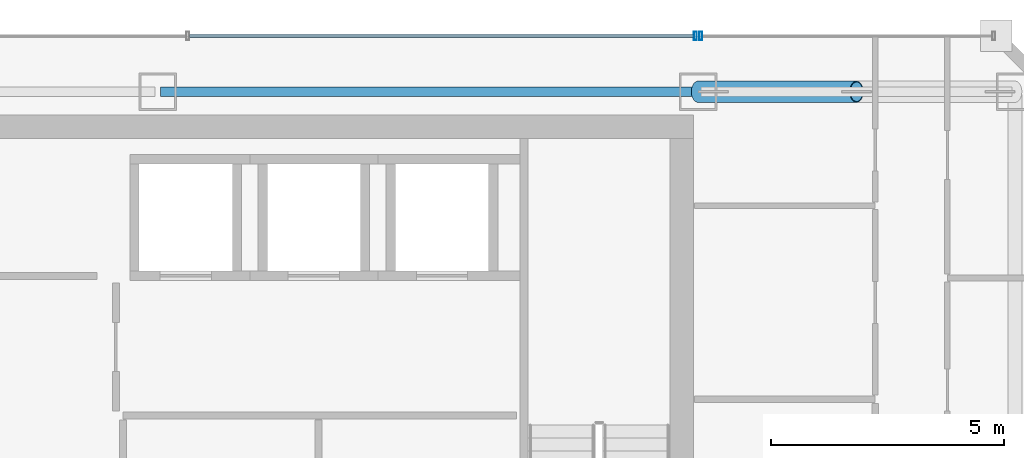
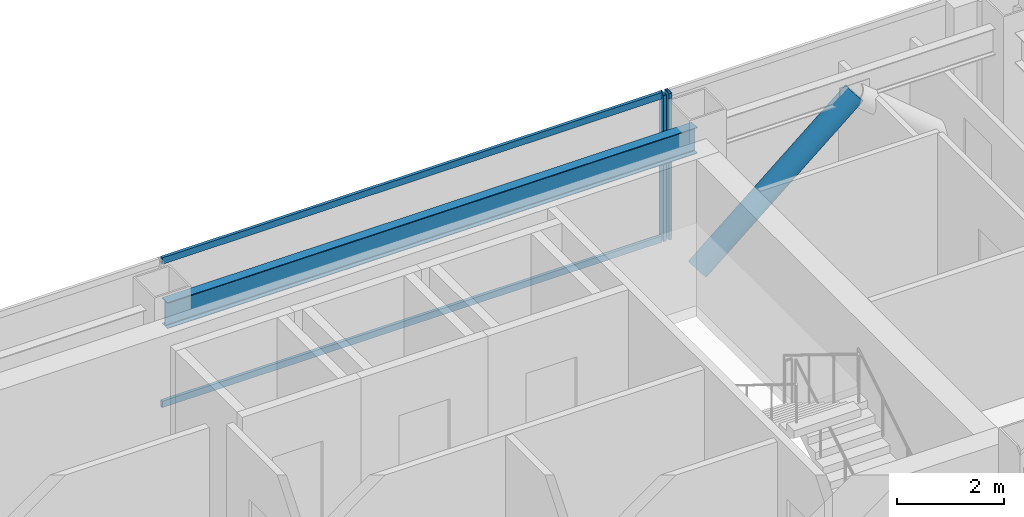
# One storey, part 24 of 34: 5 members, 1 beam, 2 elements without a shape of their own.
"""IFC4 building model written with IfcOpenShell, lengths in metres."""

from ifc_helpers import new_model, si_unit, direction, frame, origin, origin_2d, place, context, subcontext, project, spatial, hollow_rectangle, hollow_circle, i_section, extrude, material, material_profile, profile_set, type_object, element, aggregate, save


model = new_model("IFC4")

# Units and contexts
model_context = context("Model", 3, precision=1e-05, world=origin(), true_north=direction((0.0, 1.0)))
body_context = subcontext(model_context, "Body", "Model", "MODEL_VIEW")
ifc_project = project(units=[si_unit("LENGTHUNIT", "METRE"), si_unit("AREAUNIT", "SQUARE_METRE"), si_unit("VOLUMEUNIT", "CUBIC_METRE"), si_unit("PLANEANGLEUNIT", "RADIAN"), si_unit("MASSUNIT", "GRAM", prefix="KILO")], contexts=[model_context])

# Site, building, storey
site_placement = place(None, origin())
site = spatial("IfcSite", under=ifc_project, at=site_placement, CompositionType="ELEMENT")
building_placement = place(site_placement, origin())
building = spatial("IfcBuilding", under=site, at=building_placement, Name="Saevonmaru Cultural Tower", CompositionType="ELEMENT")
storey_placement = place(building_placement, frame((0.0, 0.0, 220.800048828125)))
storey = spatial("IfcBuildingStorey", under=building, at=storey_placement, Name="L51", CompositionType="ELEMENT", Elevation=220.800048828125)

# Beam
ifc_material_1 = material(Name="Steel SM355", Category="steel")
ifc_material_profile_1 = material_profile(ifc_material_1, i_section(OverallWidth=0.199951171875, OverallDepth=0.60009765625, WebThickness=0.010986328125, FlangeThickness=0.01708984375, FilletRadius=0.02197265625, at=origin_2d()), Name="H-600x200x11x17")
ifc_profile_set_1 = profile_set([ifc_material_profile_1], Name="Steel SM355")
beam_type = type_object("IfcBeamType", Name="BM-SP-H600", PredefinedType="SPANDREL", material=ifc_profile_set_1)
beam_placement = place(storey_placement, frame((34.860107421875, 54.800048828125, 3.050048828125), z_axis=(1.0, 0.0, 0.0), x_axis=(0.0, 1.0, 0.0)))
element("IfcBeam", 1, at=beam_placement, inside=storey, type_object=beam_type, Name="L51 North Spine Girder 4", PredefinedType="SPANDREL", context=body_context, shape_type="SweptSolid", body=[
    extrude(i_section(OverallWidth=0.199951171875, OverallDepth=0.60009765625, WebThickness=0.010986328125, FlangeThickness=0.01708984375, FilletRadius=0.02197265625, at=origin_2d()), origin(), (0.0, 0.0, 1.0), 11.47998046875),
])

# Member
ifc_material_2 = material(Name="Steel SM420", Category="steel")
ifc_material_profile_2 = material_profile(ifc_material_2, hollow_circle(Radius=0.228515625, WallThickness=0.02001953125, at=origin_2d()), Name="CHS-457.2x20")
ifc_profile_set_2 = profile_set([ifc_material_profile_2], Name="Steel SM420")
member_type_1 = type_object("IfcMemberType", Name="MB-PBR-CHS457", PredefinedType="BRACE", material=ifc_profile_set_2)
member_1_placement = place(storey_placement, frame((46.39990234375, 54.800048828125, 0.02001953125), z_axis=(0.766400394118, 0.0, 0.642363165114), x_axis=(0.0, 1.0, 0.0)))
element("IfcMember", 2, at=member_1_placement, inside=storey, type_object=member_type_1, Name="L51 Perimeter Braced-Tube Diagonal EN1", PredefinedType="BRACE", context=body_context, shape_type="SweptSolid", body=[
    extrude(hollow_circle(Radius=0.228515625, WallThickness=0.02001953125, at=origin_2d()), origin(), (0.0, 0.0, 1.0), 4.4365234375),
])

# Curtain wall, member
ifc_material_3 = material(Name="Satin Bronze Anodised Aluminium", Category="aluminium")
curtain_wall_type = type_object("IfcCurtainWallType", Name="CW-TYP-B", PredefinedType="NOTDEFINED", material=ifc_material_3)
curtain_wall_1_placement = place(storey_placement, origin())
curtain_wall_1 = element("IfcCurtainWall", 3, at=curtain_wall_1_placement, inside=storey, type_object=curtain_wall_type, Name="L51 East Braced Bay Spandrel Curtain Wall E10A", PredefinedType="NOTDEFINED")
ifc_material_profile_3 = material_profile(ifc_material_3, hollow_rectangle(XDim=0.06494140625, YDim=0.179931640625, WallThickness=0.00390625, at=origin_2d()), Name="ALU-MULL-180x65x4")
ifc_profile_set_3 = profile_set([ifc_material_profile_3], Name="Satin Bronze Anodised Aluminium")
member_type_2 = type_object("IfcMemberType", Name="ML-CW-180x65", PredefinedType="MULLION", material=ifc_profile_set_3)
member_2_placement = place(storey_placement, frame((46.4599609375, 56.0, 0.0), z_axis=(0.0, 0.0, 1.0), x_axis=(-1.0, 0.0, 0.0)))
member_2 = element("IfcMember", 4, at=member_2_placement, type_object=member_type_2, Name="CW-TW-L51-E10A mullion 2", PredefinedType="MULLION", context=body_context, shape_type="SweptSolid", body=[
    extrude(hollow_rectangle(XDim=0.06494140625, YDim=0.179931640625, WallThickness=0.00390625, at=origin_2d()), origin(), (0.0, 0.0, 1.0), 3.349853515625),
])
aggregate(curtain_wall_1, [member_2])

# Curtain wall, members
curtain_wall_2_placement = place(storey_placement, origin())
curtain_wall_2 = element("IfcCurtainWall", 5, at=curtain_wall_2_placement, inside=storey, type_object=curtain_wall_type, Name="L51 North Spine Unitised Curtain Wall E10B", PredefinedType="NOTDEFINED")
member_3_placement = place(storey_placement, frame((46.340087890625, 56.0, 0.0), z_axis=(0.0, 0.0, 1.0), x_axis=(-1.0, 0.0, 0.0)))
member_3 = element("IfcMember", 6, at=member_3_placement, type_object=member_type_2, Name="CW-TW-L51-E10B mullion 1", PredefinedType="MULLION", context=body_context, shape_type="SweptSolid", body=[
    extrude(hollow_rectangle(XDim=0.06494140625, YDim=0.179931640625, WallThickness=0.00390625, at=origin_2d()), origin(), (0.0, 0.0, 1.0), 3.349853515625),
])
ifc_material_profile_4 = material_profile(ifc_material_3, hollow_rectangle(XDim=0.06494140625, YDim=0.14990234375, WallThickness=0.00390625, at=origin_2d()), Name="ALU-TRAN-150x65x4")
ifc_profile_set_4 = profile_set([ifc_material_profile_4], Name="Satin Bronze Anodised Aluminium")
member_type_3 = type_object("IfcMemberType", Name="TR-CW-150x65", PredefinedType="USERDEFINED", material=ifc_profile_set_4)
member_4_placement = place(storey_placement, frame((46.3076171875, 56.0, 0.032470703125), z_axis=(-1.0, 0.0, 0.0), x_axis=(0.0, -1.0, 0.0)))
member_4 = element("IfcMember", 7, at=member_4_placement, type_object=member_type_3, Name="CW-TW-L51-E10B transom 1.1", ObjectType="TRANSOM", PredefinedType="USERDEFINED", context=body_context, shape_type="SweptSolid", body=[
    extrude(hollow_rectangle(XDim=0.06494140625, YDim=0.14990234375, WallThickness=0.00390625, at=origin_2d()), origin(), (0.0, 0.0, 1.0), 10.828369140625),
])
member_5_placement = place(storey_placement, frame((46.3076171875, 56.0, 3.3173828125), z_axis=(-1.0, 0.0, 0.0), x_axis=(0.0, -1.0, 0.0)))
member_5 = element("IfcMember", 8, at=member_5_placement, type_object=member_type_3, Name="CW-TW-L51-E10B transom 1.2", ObjectType="TRANSOM", PredefinedType="USERDEFINED", context=body_context, shape_type="SweptSolid", body=[
    extrude(hollow_rectangle(XDim=0.06494140625, YDim=0.14990234375, WallThickness=0.00390625, at=origin_2d()), origin(), (0.0, 0.0, 1.0), 10.828369140625),
])
aggregate(curtain_wall_2, [member_3, member_4, member_5])

save(model, "model.ifc")
